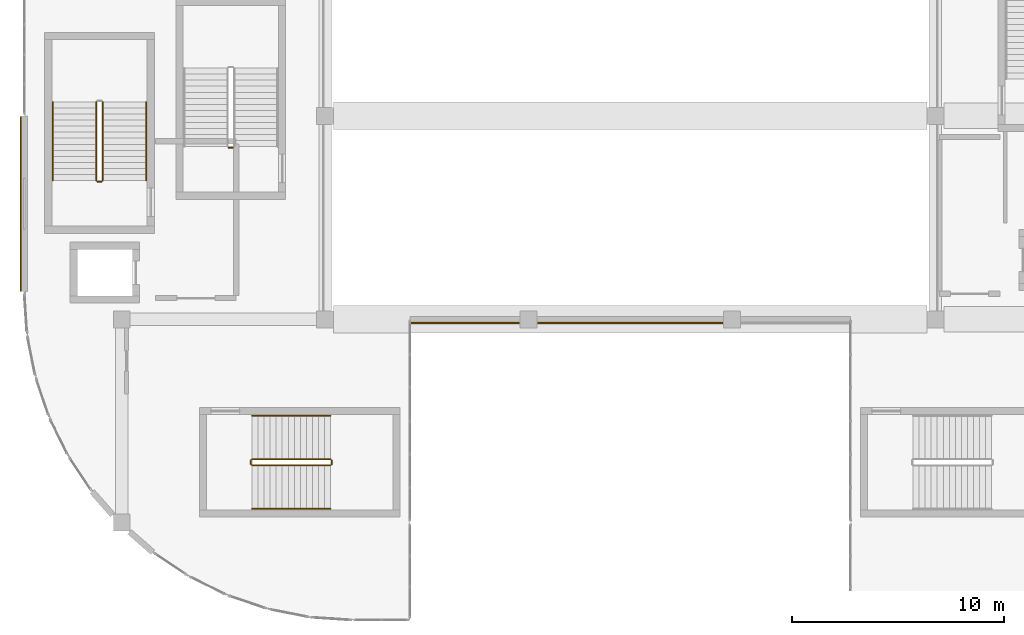
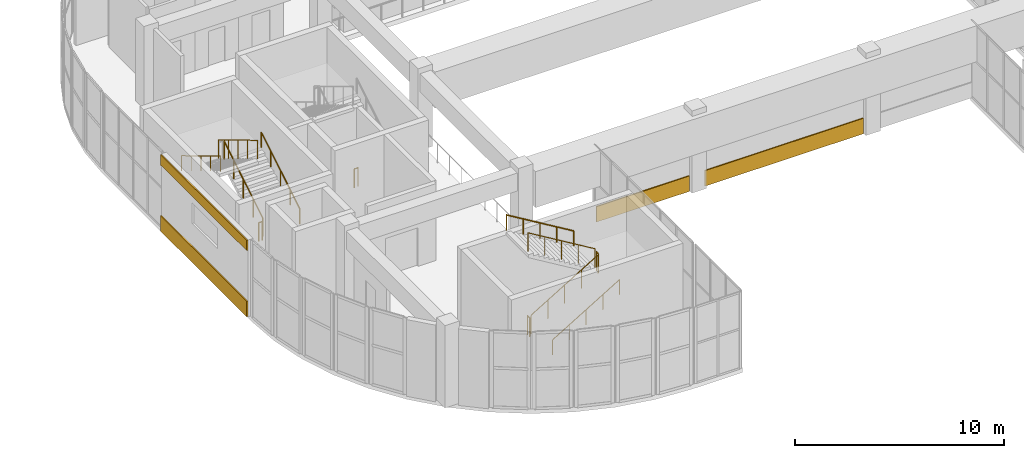
# One storey, part 27 of 33: 12 railings, 4 coverings.
"""IFC4 building model written with IfcOpenShell, lengths in metres."""

from ifc_helpers import new_model, si_unit, direction, frame, origin, origin_2d, place, context, subcontext, project, spatial, rectangle, circle, extrude, material, layer, layer_set, type_object, element, save


model = new_model("IFC4")

# Units and contexts
model_context = context("Model", 3, precision=1e-05, world=origin(), true_north=direction((0.0, 1.0)))
body_context = subcontext(model_context, "Body", "Model", "MODEL_VIEW")
ifc_project = project(units=[si_unit("LENGTHUNIT", "METRE"), si_unit("AREAUNIT", "SQUARE_METRE"), si_unit("VOLUMEUNIT", "CUBIC_METRE"), si_unit("PLANEANGLEUNIT", "RADIAN"), si_unit("MASSUNIT", "GRAM", prefix="KILO")], contexts=[model_context])

# Site, building, storey
site_placement = place(None, origin())
site = spatial("IfcSite", under=ifc_project, at=site_placement, CompositionType="ELEMENT")
building_placement = place(site_placement, origin())
building = spatial("IfcBuilding", under=site, at=building_placement, Name="Cendralis Terraced Arcade", CompositionType="ELEMENT")
storey_placement = place(building_placement, frame((0.0, 0.0, 19.800048828125)))
storey = spatial("IfcBuildingStorey", under=building, at=storey_placement, Name="L04", CompositionType="ELEMENT", Elevation=19.800048828125)

# Coverings
ifc_material_1 = material(Name="Precast concrete f'c 40 MPa", Category="concrete")
ifc_layer = layer(ifc_material_1, 0.06494140625, Name="COV-CLAD-GRC-65")
ifc_layer_set = layer_set([ifc_layer], Name="Precast concrete f'c 40 MPa")
covering_type = type_object("IfcCoveringType", Name="COV-CLAD-GRC-65", PredefinedType="CLADDING", material=ifc_layer_set)
covering_1_placement = place(storey_placement, frame((33.60009765625, 19.030029296875, 0.0), z_axis=(0.0, 0.0, 1.0), x_axis=(-1.0, 0.0, 0.0)))
element("IfcCovering", 1, at=covering_1_placement, inside=storey, type_object=covering_type, Name="Banded Precast Stone Spandrel Cladding L04-473", PredefinedType="CLADDING", context=body_context, shape_type="SweptSolid", body=[
    extrude(rectangle(XDim=8.743896484375, YDim=0.06494140625, at=origin_2d()), origin(), (0.0, 0.0, 1.0), 0.89990234375),
])
covering_2_placement = place(storey_placement, frame((25.801025390625, 19.030029296875, 0.0), z_axis=(0.0, 0.0, 1.0), x_axis=(-1.0, 0.0, 0.0)))
element("IfcCovering", 2, at=covering_2_placement, inside=storey, type_object=covering_type, Name="Banded Precast Stone Spandrel Cladding L04-474", PredefinedType="CLADDING", context=body_context, shape_type="SweptSolid", body=[
    extrude(rectangle(XDim=5.14208984375, YDim=0.06494140625, at=origin_2d()), origin(), (0.0, 0.0, 1.0), 0.89990234375),
])
covering_3_placement = place(storey_placement, frame((4.830078125, 24.64990234375, 0.0), z_axis=(0.0, 0.0, 1.0), x_axis=(0.0, 1.0, 0.0)))
element("IfcCovering", 3, at=covering_3_placement, inside=storey, type_object=covering_type, Name="Banded Precast Stone Spandrel Cladding L04-475", PredefinedType="CLADDING", context=body_context, shape_type="SweptSolid", body=[
    extrude(rectangle(XDim=8.239990234375, YDim=0.06494140625, at=origin_2d()), origin(), (0.0, 0.0, 1.0), 0.89990234375),
])
covering_4_placement = place(storey_placement, frame((4.830078125, 24.64990234375, 3.85986328125), z_axis=(0.0, 0.0, 1.0), x_axis=(0.0, 1.0, 0.0)))
element("IfcCovering", 4, at=covering_4_placement, inside=storey, type_object=covering_type, Name="Banded Precast Stone Lintel Cladding L04-476", PredefinedType="CLADDING", context=body_context, shape_type="SweptSolid", body=[
    extrude(rectangle(XDim=8.239990234375, YDim=0.06494140625, at=origin_2d()), origin(), (0.0, 0.0, 1.0), 0.60009765625),
])

# Railings
ifc_material_2 = material(Name="Brushed stainless steel AISI 316", Category="steel")
railing_type_1 = type_object("IfcRailingType", Name="RL-STAIR-GUARD-1100", PredefinedType="GUARDRAIL", material=ifc_material_2)
railing_1_placement = place(storey_placement, frame((8.699951171875, 25.75, 0.17138671875)))
element("IfcRailing", 5, at=railing_1_placement, inside=storey, type_object=railing_type_1, Name="L04 ST-01 stair guard 1", PredefinedType="GUARDRAIL", context=body_context, shape_type="SweptSolid", body=[
    extrude(circle(Radius=0.02392578125, at=origin_2d()), frame((0.0, 0.0, 1.076171875), z_axis=(0.0, 0.856934400257, 0.515425487977), x_axis=(-1.0, 0.0, 0.0)), (0.0, 0.0, 1.0), 4.32373046875),
    extrude(circle(Radius=0.02099609375, at=origin_2d()), origin(), (0.0, 0.0, 1.0), 1.052001953125),
    extrude(circle(Radius=0.02099609375, at=origin_2d()), frame((0.0, 0.92626953125, 0.55712890625)), (0.0, 0.0, 1.0), 1.052001953125),
    extrude(circle(Radius=0.02099609375, at=origin_2d()), frame((0.0, 1.8525390625, 1.1142578125)), (0.0, 0.0, 1.0), 1.052001953125),
    extrude(circle(Radius=0.02099609375, at=origin_2d()), frame((0.0, 2.77880859375, 1.67138671875)), (0.0, 0.0, 1.0), 1.052001953125),
    extrude(circle(Radius=0.02099609375, at=origin_2d()), frame((0.0, 3.705078125, 2.228515625)), (0.0, 0.0, 1.0), 1.052001953125),
])
railing_2_placement = place(storey_placement, frame((8.39990234375, 29.455078125, 2.5712890625)))
element("IfcRailing", 6, at=railing_2_placement, inside=storey, type_object=railing_type_1, Name="L04 ST-01 stair guard 3", PredefinedType="GUARDRAIL", context=body_context, shape_type="SweptSolid", body=[
    extrude(circle(Radius=0.02392578125, at=origin_2d()), frame((0.0, 0.0, 1.076171875), z_axis=(0.0, -0.856909459561, 0.515466951525), x_axis=(1.0, 0.0, 0.0)), (0.0, 0.0, 1.0), 4.32373046875),
    extrude(circle(Radius=0.02099609375, at=origin_2d()), origin(), (0.0, 0.0, 1.0), 1.052001953125),
    extrude(circle(Radius=0.02099609375, at=origin_2d()), frame((0.0, -0.92626953125, 0.55712890625)), (0.0, 0.0, 1.0), 1.052001953125),
    extrude(circle(Radius=0.02099609375, at=origin_2d()), frame((0.0, -1.8525390625, 1.1142578125)), (0.0, 0.0, 1.0), 1.052001953125),
    extrude(circle(Radius=0.02099609375, at=origin_2d()), frame((0.0, -2.77880859375, 1.671630859375)), (0.0, 0.0, 1.0), 1.052001953125),
    extrude(circle(Radius=0.02099609375, at=origin_2d()), frame((0.0, -3.705078125, 2.228759765625)), (0.0, 0.0, 1.0), 1.052001953125),
])
railing_3_placement = place(storey_placement, frame((8.64990234375, 25.699951171875, 0.0)))
element("IfcRailing", 7, at=railing_3_placement, inside=storey, type_object=railing_type_1, Name="L04 ST-01 stair guard 4", PredefinedType="GUARDRAIL", context=body_context, shape_type="SweptSolid", body=[
    extrude(circle(Radius=0.02392578125, at=origin_2d()), frame((0.0, 0.0, 1.076171875), z_axis=(-1.0, 0.0, 0.0), x_axis=(0.0, -1.0, 0.0)), (0.0, 0.0, 1.0), 0.199951171875),
    extrude(circle(Radius=0.02099609375, at=origin_2d()), origin(), (0.0, 0.0, 1.0), 1.052001953125),
    extrude(circle(Radius=0.02099609375, at=origin_2d()), frame((-0.199951171875, 0.0, 0.0)), (0.0, 0.0, 1.0), 1.052001953125),
])
railing_4_placement = place(storey_placement, frame((15.75, 12.300048828125, 0.17138671875)))
element("IfcRailing", 8, at=railing_4_placement, inside=storey, type_object=railing_type_1, Name="L04 ST-02 stair guard 1", PredefinedType="GUARDRAIL", context=body_context, shape_type="SweptSolid", body=[
    extrude(circle(Radius=0.02392578125, at=origin_2d()), frame((0.0, 0.0, 1.076171875), z_axis=(0.856934400257, 0.0, 0.515425487977), x_axis=(0.0, 1.0, 0.0)), (0.0, 0.0, 1.0), 4.32373046875),
    extrude(circle(Radius=0.02099609375, at=origin_2d()), origin(), (0.0, 0.0, 1.0), 1.052001953125),
    extrude(circle(Radius=0.02099609375, at=origin_2d()), frame((0.92626953125, 0.0, 0.55712890625)), (0.0, 0.0, 1.0), 1.052001953125),
    extrude(circle(Radius=0.02099609375, at=origin_2d()), frame((1.8525390625, 0.0, 1.1142578125)), (0.0, 0.0, 1.0), 1.052001953125),
    extrude(circle(Radius=0.02099609375, at=origin_2d()), frame((2.77880859375, 0.0, 1.67138671875)), (0.0, 0.0, 1.0), 1.052001953125),
    extrude(circle(Radius=0.02099609375, at=origin_2d()), frame((3.705078125, 0.0, 2.228515625)), (0.0, 0.0, 1.0), 1.052001953125),
])
railing_5_placement = place(storey_placement, frame((19.5048828125, 12.35009765625, 2.39990234375)))
element("IfcRailing", 9, at=railing_5_placement, inside=storey, type_object=railing_type_1, Name="L04 ST-02 stair guard 2", PredefinedType="GUARDRAIL", context=body_context, shape_type="SweptSolid", body=[
    extrude(circle(Radius=0.02392578125, at=origin_2d()), frame((0.0, 0.0, 1.076171875), z_axis=(0.0, 1.0, 0.0), x_axis=(-1.0, 0.0, 0.0)), (0.0, 0.0, 1.0), 0.199951171875),
    extrude(circle(Radius=0.02099609375, at=origin_2d()), origin(), (0.0, 0.0, 1.0), 1.052001953125),
    extrude(circle(Radius=0.02099609375, at=origin_2d()), frame((0.0, 0.199951171875, 0.0)), (0.0, 0.0, 1.0), 1.052001953125),
])
railing_6_placement = place(storey_placement, frame((19.455078125, 12.60009765625, 2.5712890625)))
element("IfcRailing", 10, at=railing_6_placement, inside=storey, type_object=railing_type_1, Name="L04 ST-02 stair guard 3", PredefinedType="GUARDRAIL", context=body_context, shape_type="SweptSolid", body=[
    extrude(circle(Radius=0.02392578125, at=origin_2d()), frame((0.0, 0.0, 1.076171875), z_axis=(-0.856909459561, 0.0, 0.515466951525), x_axis=(0.0, -1.0, 0.0)), (0.0, 0.0, 1.0), 4.32373046875),
    extrude(circle(Radius=0.02099609375, at=origin_2d()), origin(), (0.0, 0.0, 1.0), 1.052001953125),
    extrude(circle(Radius=0.02099609375, at=origin_2d()), frame((-0.92626953125, 0.0, 0.55712890625)), (0.0, 0.0, 1.0), 1.052001953125),
    extrude(circle(Radius=0.02099609375, at=origin_2d()), frame((-1.8525390625, 0.0, 1.1142578125)), (0.0, 0.0, 1.0), 1.052001953125),
    extrude(circle(Radius=0.02099609375, at=origin_2d()), frame((-2.77880859375, 0.0, 1.671630859375)), (0.0, 0.0, 1.0), 1.052001953125),
    extrude(circle(Radius=0.02099609375, at=origin_2d()), frame((-3.705078125, 0.0, 2.228759765625)), (0.0, 0.0, 1.0), 1.052001953125),
])
railing_7_placement = place(storey_placement, frame((15.699951171875, 12.35009765625, 0.0)))
element("IfcRailing", 11, at=railing_7_placement, inside=storey, type_object=railing_type_1, Name="L04 ST-02 stair guard 4", PredefinedType="GUARDRAIL", context=body_context, shape_type="SweptSolid", body=[
    extrude(circle(Radius=0.02392578125, at=origin_2d()), frame((0.0, 0.0, 1.076171875), z_axis=(0.0, 1.0, 0.0), x_axis=(-1.0, 0.0, 0.0)), (0.0, 0.0, 1.0), 0.199951171875),
    extrude(circle(Radius=0.02099609375, at=origin_2d()), origin(), (0.0, 0.0, 1.0), 1.052001953125),
    extrude(circle(Radius=0.02099609375, at=origin_2d()), frame((0.0, 0.199951171875, 0.0)), (0.0, 0.0, 1.0), 1.052001953125),
])
railing_8_placement = place(storey_placement, frame((14.85009765625, 27.300048828125, 0.0)))
element("IfcRailing", 12, at=railing_8_placement, inside=storey, type_object=railing_type_1, Name="L04 ST-05 stair guard 4", PredefinedType="GUARDRAIL", context=body_context, shape_type="SweptSolid", body=[
    extrude(circle(Radius=0.02392578125, at=origin_2d()), frame((0.0, 0.0, 1.076171875), z_axis=(-1.0, 0.0, 0.0), x_axis=(0.0, -1.0, 0.0)), (0.0, 0.0, 1.0), 0.2001953125),
    extrude(circle(Radius=0.02099609375, at=origin_2d()), origin(), (0.0, 0.0, 1.0), 1.052001953125),
    extrude(circle(Radius=0.02099609375, at=origin_2d()), frame((-0.2001953125, 0.0, 0.0)), (0.0, 0.0, 1.0), 1.052001953125),
])
railing_type_2 = type_object("IfcRailingType", Name="RL-STAIR-HAND-900", PredefinedType="HANDRAIL", material=ifc_material_2)
railing_9_placement = place(storey_placement, frame((10.75, 25.75, 0.17138671875)))
element("IfcRailing", 13, at=railing_9_placement, inside=storey, type_object=railing_type_2, Name="L04 ST-01 stair handrail 1", PredefinedType="HANDRAIL", context=body_context, shape_type="SweptSolid", body=[
    extrude(circle(Radius=0.02392578125, at=origin_2d()), frame((0.0, 0.0, 0.8759765625), z_axis=(0.0, 0.856934400257, 0.515425487977), x_axis=(-1.0, 0.0, 0.0)), (0.0, 0.0, 1.0), 4.32373046875),
    extrude(circle(Radius=0.02099609375, at=origin_2d()), origin(), (0.0, 0.0, 1.0), 0.851806640625),
    extrude(circle(Radius=0.02099609375, at=origin_2d()), frame((0.0, 0.92626953125, 0.55712890625)), (0.0, 0.0, 1.0), 0.851806640625),
    extrude(circle(Radius=0.02099609375, at=origin_2d()), frame((0.0, 1.8525390625, 1.1142578125)), (0.0, 0.0, 1.0), 0.851806640625),
    extrude(circle(Radius=0.02099609375, at=origin_2d()), frame((0.0, 2.77880859375, 1.67138671875)), (0.0, 0.0, 1.0), 0.851806640625),
    extrude(circle(Radius=0.02099609375, at=origin_2d()), frame((0.0, 3.705078125, 2.228515625)), (0.0, 0.0, 1.0), 0.851806640625),
])
railing_10_placement = place(storey_placement, frame((6.35009765625, 29.455078125, 2.5712890625)))
element("IfcRailing", 14, at=railing_10_placement, inside=storey, type_object=railing_type_2, Name="L04 ST-01 stair handrail 2", PredefinedType="HANDRAIL", context=body_context, shape_type="SweptSolid", body=[
    extrude(circle(Radius=0.02392578125, at=origin_2d()), frame((0.0, 0.0, 0.8759765625), z_axis=(0.0, -0.856909459561, 0.515466951525), x_axis=(1.0, 0.0, 0.0)), (0.0, 0.0, 1.0), 4.32373046875),
    extrude(circle(Radius=0.02099609375, at=origin_2d()), origin(), (0.0, 0.0, 1.0), 0.851806640625),
    extrude(circle(Radius=0.02099609375, at=origin_2d()), frame((0.0, -0.92626953125, 0.55712890625)), (0.0, 0.0, 1.0), 0.851806640625),
    extrude(circle(Radius=0.02099609375, at=origin_2d()), frame((0.0, -1.8525390625, 1.1142578125)), (0.0, 0.0, 1.0), 0.851806640625),
    extrude(circle(Radius=0.02099609375, at=origin_2d()), frame((0.0, -2.77880859375, 1.671630859375)), (0.0, 0.0, 1.0), 0.851806640625),
    extrude(circle(Radius=0.02099609375, at=origin_2d()), frame((0.0, -3.705078125, 2.228759765625)), (0.0, 0.0, 1.0), 0.851806640625),
])
railing_11_placement = place(storey_placement, frame((15.75, 10.25, 0.17138671875)))
element("IfcRailing", 15, at=railing_11_placement, inside=storey, type_object=railing_type_2, Name="L04 ST-02 stair handrail 1", PredefinedType="HANDRAIL", context=body_context, shape_type="SweptSolid", body=[
    extrude(circle(Radius=0.02392578125, at=origin_2d()), frame((0.0, 0.0, 0.8759765625), z_axis=(0.856934400257, 0.0, 0.515425487977), x_axis=(0.0, 1.0, 0.0)), (0.0, 0.0, 1.0), 4.32373046875),
    extrude(circle(Radius=0.02099609375, at=origin_2d()), origin(), (0.0, 0.0, 1.0), 0.851806640625),
    extrude(circle(Radius=0.02099609375, at=origin_2d()), frame((0.92626953125, 0.0, 0.55712890625)), (0.0, 0.0, 1.0), 0.851806640625),
    extrude(circle(Radius=0.02099609375, at=origin_2d()), frame((1.8525390625, 0.0, 1.1142578125)), (0.0, 0.0, 1.0), 0.851806640625),
    extrude(circle(Radius=0.02099609375, at=origin_2d()), frame((2.77880859375, 0.0, 1.67138671875)), (0.0, 0.0, 1.0), 0.851806640625),
    extrude(circle(Radius=0.02099609375, at=origin_2d()), frame((3.705078125, 0.0, 2.228515625)), (0.0, 0.0, 1.0), 0.851806640625),
])
railing_12_placement = place(storey_placement, frame((19.455078125, 14.64990234375, 2.5712890625)))
element("IfcRailing", 16, at=railing_12_placement, inside=storey, type_object=railing_type_2, Name="L04 ST-02 stair handrail 2", PredefinedType="HANDRAIL", context=body_context, shape_type="SweptSolid", body=[
    extrude(circle(Radius=0.02392578125, at=origin_2d()), frame((0.0, 0.0, 0.8759765625), z_axis=(-0.856909459561, 0.0, 0.515466951525), x_axis=(0.0, -1.0, 0.0)), (0.0, 0.0, 1.0), 4.32373046875),
    extrude(circle(Radius=0.02099609375, at=origin_2d()), origin(), (0.0, 0.0, 1.0), 0.851806640625),
    extrude(circle(Radius=0.02099609375, at=origin_2d()), frame((-0.92626953125, 0.0, 0.55712890625)), (0.0, 0.0, 1.0), 0.851806640625),
    extrude(circle(Radius=0.02099609375, at=origin_2d()), frame((-1.8525390625, 0.0, 1.1142578125)), (0.0, 0.0, 1.0), 0.851806640625),
    extrude(circle(Radius=0.02099609375, at=origin_2d()), frame((-2.77880859375, 0.0, 1.671630859375)), (0.0, 0.0, 1.0), 0.851806640625),
    extrude(circle(Radius=0.02099609375, at=origin_2d()), frame((-3.705078125, 0.0, 2.228759765625)), (0.0, 0.0, 1.0), 0.851806640625),
])

save(model, "model.ifc")
